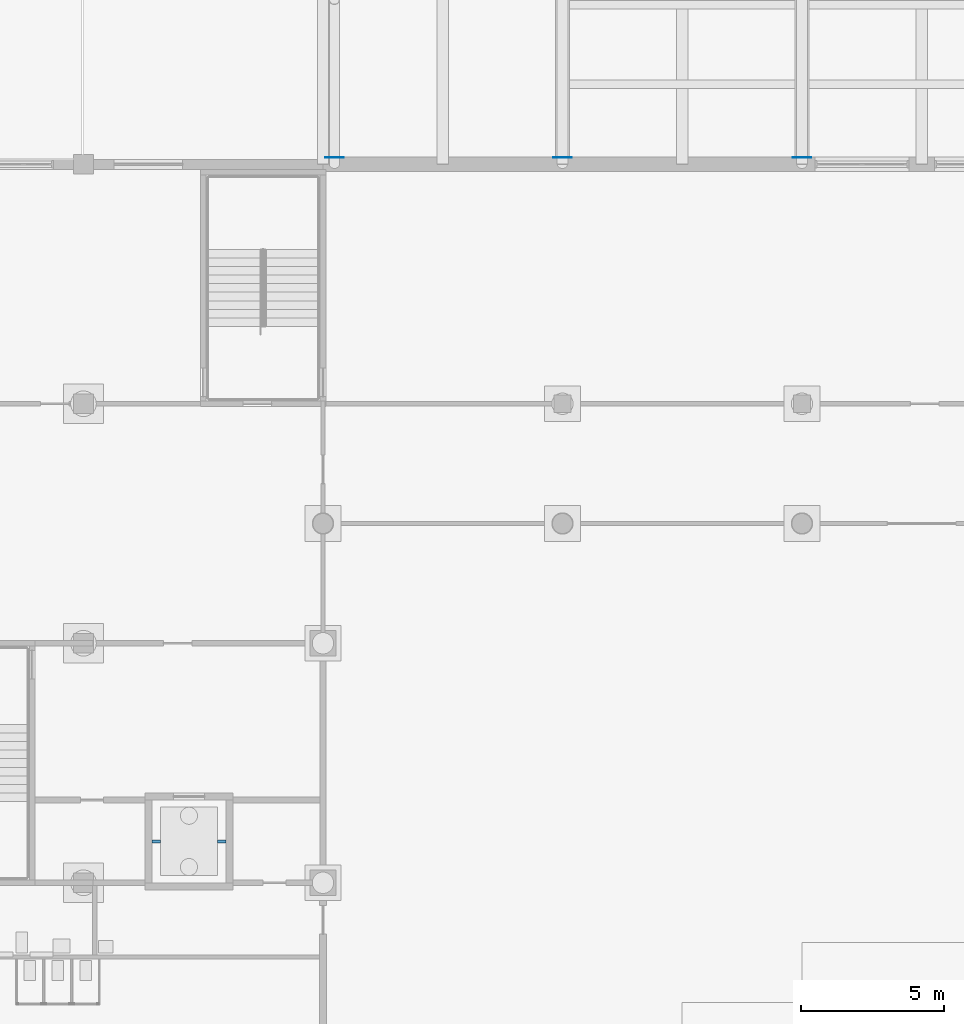
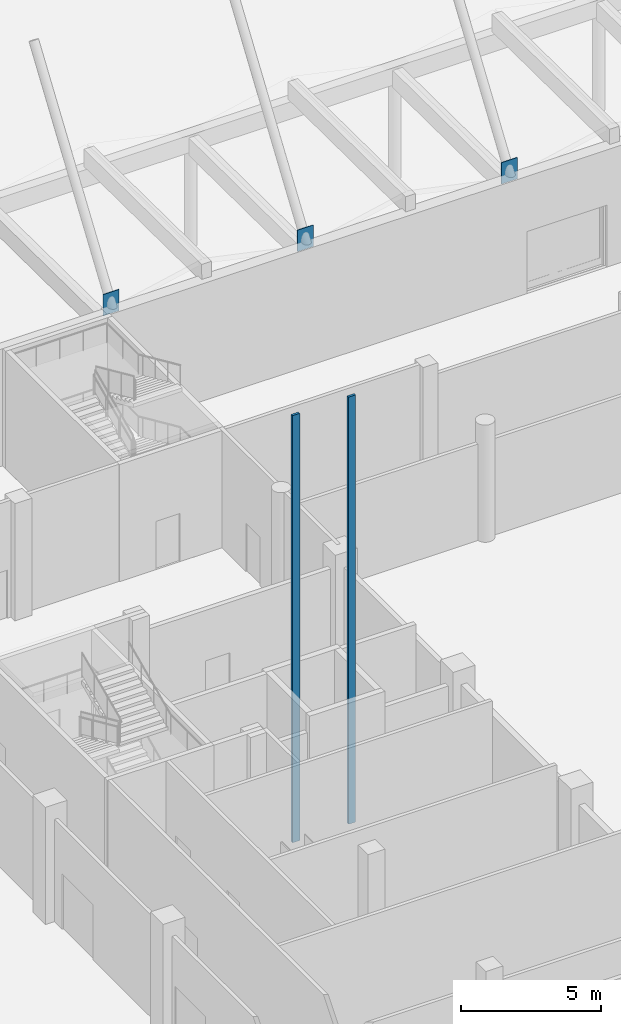
# One storey, part 43 of 74: 5 discrete accessories.
"""IFC4 building model written with IfcOpenShell, lengths in metres."""

from ifc_helpers import new_model, si_unit, direction, frame, origin, origin_2d, place, context, subcontext, project, spatial, rectangle, extrude, material, type_object, element, save


model = new_model("IFC4")

# Units and contexts
model_context = context("Model", 3, precision=1e-05, world=origin(), true_north=direction((0.0, 1.0)))
body_context = subcontext(model_context, "Body", "Model", "MODEL_VIEW")
ifc_project = project(units=[si_unit("LENGTHUNIT", "METRE"), si_unit("AREAUNIT", "SQUARE_METRE"), si_unit("VOLUMEUNIT", "CUBIC_METRE"), si_unit("PLANEANGLEUNIT", "RADIAN"), si_unit("MASSUNIT", "GRAM", prefix="KILO")], contexts=[model_context])

# Site, building, storey
site_placement = place(None, origin())
site = spatial("IfcSite", under=ifc_project, at=site_placement, CompositionType="ELEMENT")
building_placement = place(site_placement, origin())
building = spatial("IfcBuilding", under=site, at=building_placement, Name="Rulbaag Community and Learning Centre", CompositionType="ELEMENT")
storey_placement = place(building_placement, origin())
storey = spatial("IfcBuildingStorey", under=building, at=storey_placement, Name="L00", CompositionType="ELEMENT", Elevation=0.0)

# Discrete accessories
ifc_material = material(Name="Steel E350", Category="steel")
discrete_accessory_type_1 = type_object("IfcDiscreteAccessoryType", Name="EP2 Strut foot plate 25 x 656 x 932 Steel E350", PredefinedType="ANCHORPLATE", material=ifc_material)
for number, where, z_axis, x_axis, name in (
    (1, (42.39990234375, 50.637451171875, 4.75), (0.0, 0.0, 1.0), (1.0, 0.0, 0.0), "Canopy strut foot plate"),
    (2, (50.39990234375, 50.637451171875, 4.75), (0.0, 0.0, 1.0), (1.0, 0.0, 0.0), "Canopy strut foot plate"),
    (3, (58.800048828125, 50.637451171875, 4.75), (0.0, 0.0, 1.0), (1.0, 0.0, 0.0), "Canopy strut foot plate"),
):
    element("IfcDiscreteAccessory", number, at=place(storey_placement, frame(where, z_axis=z_axis, x_axis=x_axis)), inside=storey, type_object=discrete_accessory_type_1, Name=name, PredefinedType="ANCHORPLATE", context=body_context, shape_type="SweptSolid", body=[
        extrude(rectangle(XDim=0.656005859375, YDim=0.02490234375, at=origin_2d()), origin(), (0.0, 0.0, 1.0), 0.931884765625),
    ])
discrete_accessory_type_2 = type_object("IfcDiscreteAccessoryType", Name="LR-GUIDE RAIL 300 x 100", PredefinedType="BRACKET", material=ifc_material)
for number, where, z_axis, x_axis, name in (
    (4, (36.14990234375, 26.64990234375, -1.5), (0.0, 0.0, 1.0), (1.0, 0.0, 0.0), "Guide rail LH1 W"),
    (5, (38.449951171875, 26.64990234375, -1.5), (0.0, 0.0, 1.0), (1.0, 0.0, 0.0), "Guide rail LH1 E"),
):
    element("IfcDiscreteAccessory", number, at=place(storey_placement, frame(where, z_axis=z_axis, x_axis=x_axis)), inside=storey, type_object=discrete_accessory_type_2, Name=name, PredefinedType="BRACKET", context=body_context, shape_type="SweptSolid", body=[
        extrude(rectangle(XDim=0.300048828125, YDim=0.10009765625, at=origin_2d()), origin(), (0.0, 0.0, 1.0), 18.60009765625),
    ])

save(model, "model.ifc")
